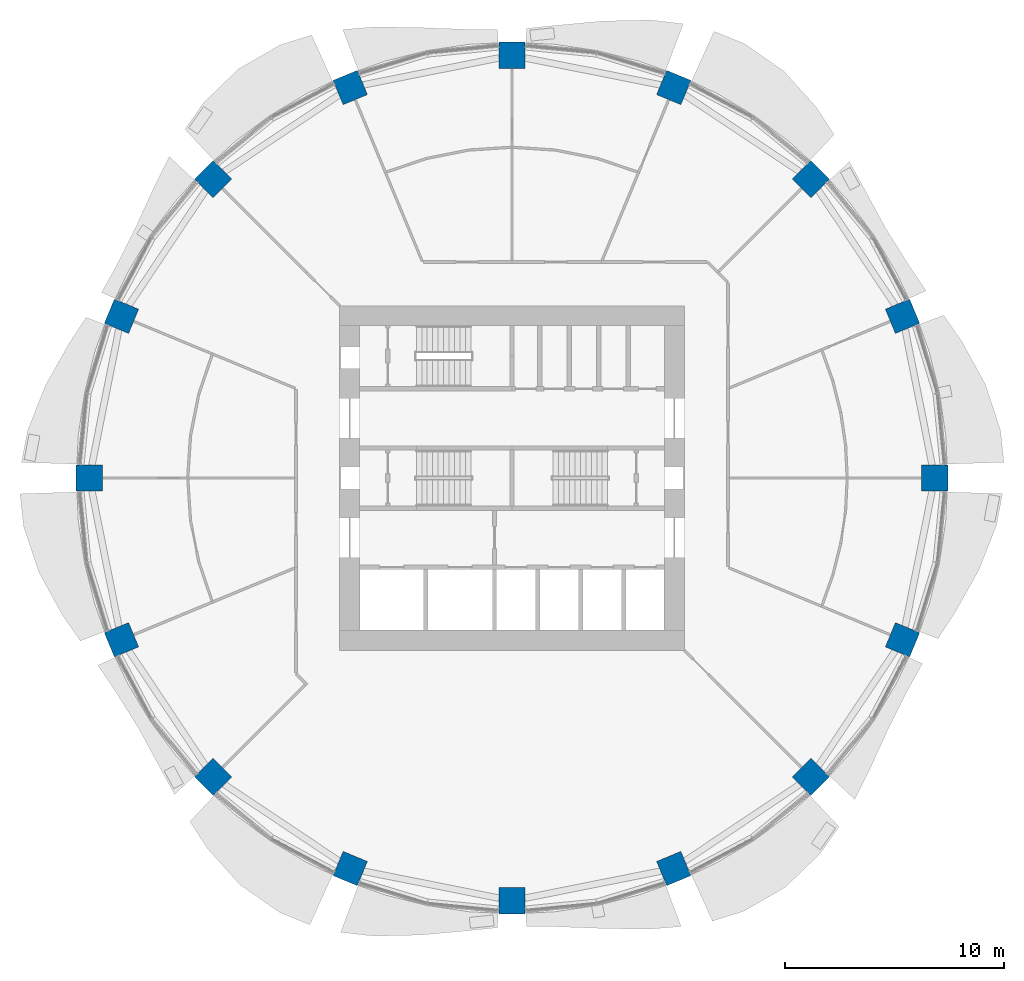
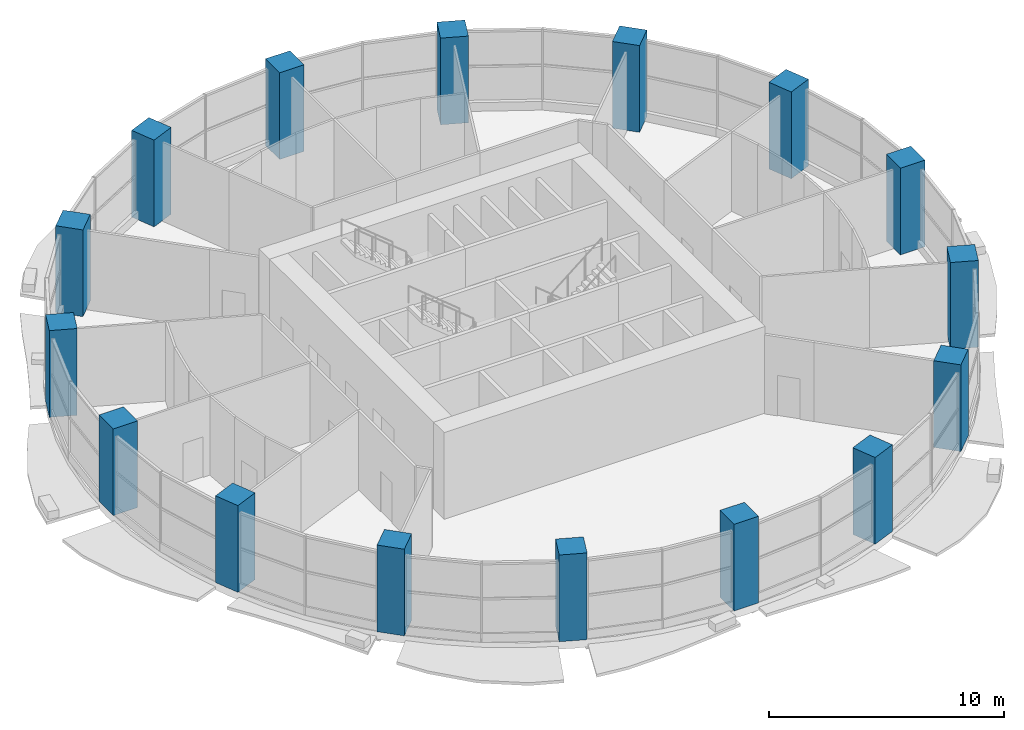
# One storey, part 1 of 14: 16 columns.
"""IFC4 building model written with IfcOpenShell, lengths in metres."""

from ifc_helpers import new_model, si_unit, direction, frame, origin, origin_2d, place, context, subcontext, project, spatial, rectangle, extrude, material, material_profile, profile_set, type_object, element, save


model = new_model("IFC4")

# Units and contexts
model_context = context("Model", 3, precision=1e-05, world=origin(), true_north=direction((0.0, 1.0)))
body_context = subcontext(model_context, "Body", "Model", "MODEL_VIEW")
ifc_project = project(units=[si_unit("LENGTHUNIT", "METRE"), si_unit("AREAUNIT", "SQUARE_METRE"), si_unit("VOLUMEUNIT", "CUBIC_METRE"), si_unit("PLANEANGLEUNIT", "RADIAN"), si_unit("MASSUNIT", "GRAM", prefix="KILO")], contexts=[model_context])

# Site, building, storey
site_placement = place(None, origin())
site = spatial("IfcSite", under=ifc_project, at=site_placement, CompositionType="ELEMENT")
building_placement = place(site_placement, origin())
building = spatial("IfcBuilding", under=site, at=building_placement, Name="Polderwave Tower", CompositionType="ELEMENT")
storey_placement = place(building_placement, frame((0.0, 0.0, 9.89990234375)))
storey = spatial("IfcBuildingStorey", under=building, at=storey_placement, Name="L02", CompositionType="ELEMENT", Elevation=9.89990234375)

# Columns
ifc_material = material(Name="Concrete C80/95", Category="concrete")
ifc_material_profile = material_profile(ifc_material, rectangle(XDim=1.199951171875, YDim=1.199951171875, at=origin_2d()), Name="RC 1200x1200")
ifc_profile_set = profile_set([ifc_material_profile], Name="Concrete C80/95")
column_type = type_object("IfcColumnType", Name="RC COLUMN 1200x1200 C80/95", PredefinedType="COLUMN", material=ifc_profile_set)
for number, where, z_axis, x_axis, name in (
    (1, (19.320068359375, 0.0, 0.0), (0.0, 0.0, 1.0), (1.0, 0.0, 0.0), "Ring column 01"),
    (2, (17.849365234375, 7.3935546875, 0.0), (0.0, 0.0, 1.0), (0.923879532511, 0.382683432365, 0.0), "Ring column 02"),
    (3, (13.661376953125, 13.661376953125, 0.0), (0.0, 0.0, 1.0), (0.707106781187, 0.707106781187, 0.0), "Ring column 03"),
    (4, (7.3935546875, 17.849365234375, 0.0), (0.0, 0.0, 1.0), (0.382683432365, 0.923879532511, 0.0), "Ring column 04"),
    (5, (0.0, 19.320068359375, 0.0), (0.0, 0.0, 1.0), (0.0, 1.0, 0.0), "Ring column 05"),
    (6, (-7.3935546875, 17.849365234375, 0.0), (0.0, 0.0, 1.0), (-0.382683432365, 0.923879532511, 0.0), "Ring column 06"),
    (7, (-13.661376953125, 13.661376953125, 0.0), (0.0, 0.0, 1.0), (-0.707106781187, 0.707106781187, 0.0), "Ring column 07"),
    (8, (-17.849365234375, 7.3935546875, 0.0), (0.0, 0.0, 1.0), (-0.923879532511, 0.382683432365, 0.0), "Ring column 08"),
    (9, (-19.320068359375, 0.0, 0.0), (0.0, 0.0, 1.0), (-1.0, 0.0, 0.0), "Ring column 09"),
    (10, (-17.849365234375, -7.3935546875, 0.0), (0.0, 0.0, 1.0), (-0.923879532511, -0.382683432365, 0.0), "Ring column 10"),
    (11, (-13.661376953125, -13.661376953125, 0.0), (0.0, 0.0, 1.0), (-0.707106781187, -0.707106781187, 0.0), "Ring column 11"),
    (12, (-7.3935546875, -17.849365234375, 0.0), (0.0, 0.0, 1.0), (-0.382683432365, -0.923879532511, 0.0), "Ring column 12"),
    (13, (0.0, -19.320068359375, 0.0), (0.0, 0.0, 1.0), (0.0, -1.0, 0.0), "Ring column 13"),
    (14, (7.3935546875, -17.849365234375, 0.0), (0.0, 0.0, 1.0), (0.382683432365, -0.923879532511, 0.0), "Ring column 14"),
    (15, (13.661376953125, -13.661376953125, 0.0), (0.0, 0.0, 1.0), (0.707106781187, -0.707106781187, 0.0), "Ring column 15"),
    (16, (17.849365234375, -7.3935546875, 0.0), (0.0, 0.0, 1.0), (0.923879532511, -0.382683432365, 0.0), "Ring column 16"),
):
    element("IfcColumn", number, at=place(storey_placement, frame(where, z_axis=z_axis, x_axis=x_axis)), inside=storey, type_object=column_type, Name=name, PredefinedType="COLUMN", context=body_context, shape_type="SweptSolid", body=[
        extrude(rectangle(XDim=1.199951171875, YDim=1.199951171875, at=origin_2d()), origin(), (0.0, 0.0, 1.0), 4.5),
    ])

save(model, "model.ifc")
